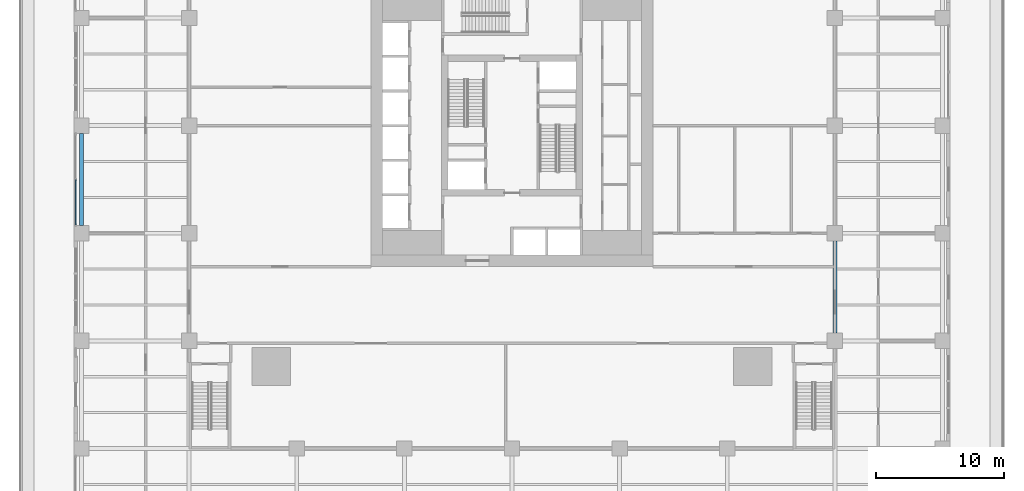
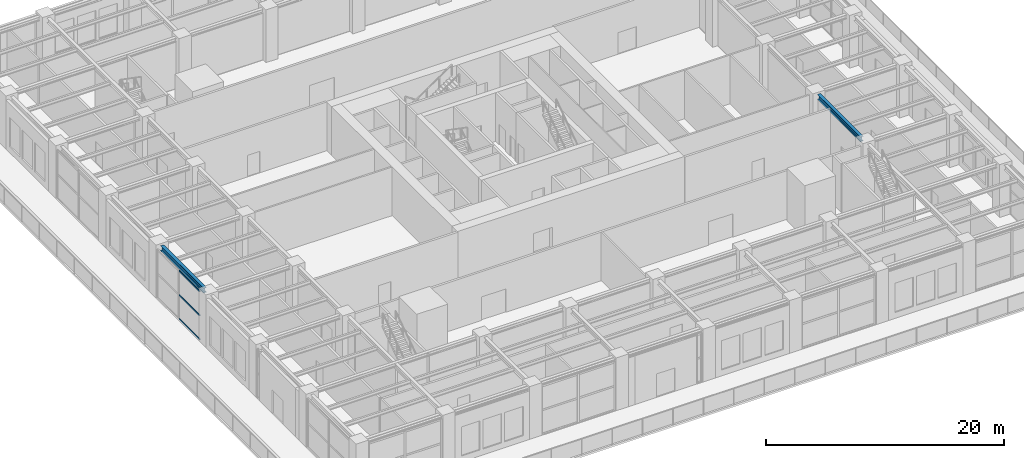
# One storey, part 4 of 36: 3 members, 2 beams, 1 element without a shape of its own.
"""IFC4 building model written with IfcOpenShell, lengths in metres."""

from ifc_helpers import new_model, si_unit, direction, frame, origin, origin_2d, place, context, subcontext, project, spatial, rectangle, i_section, extrude, material, material_profile, profile_set, type_object, element, aggregate, save


model = new_model("IFC4")

# Units and contexts
model_context = context("Model", 3, precision=1e-05, world=origin(), true_north=direction((0.0, 1.0)))
body_context = subcontext(model_context, "Body", "Model", "MODEL_VIEW")
ifc_project = project(units=[si_unit("LENGTHUNIT", "METRE"), si_unit("AREAUNIT", "SQUARE_METRE"), si_unit("VOLUMEUNIT", "CUBIC_METRE"), si_unit("PLANEANGLEUNIT", "RADIAN"), si_unit("MASSUNIT", "GRAM", prefix="KILO")], contexts=[model_context])

# Site, building, storey
site_placement = place(None, origin())
site = spatial("IfcSite", under=ifc_project, at=site_placement, CompositionType="ELEMENT")
building_placement = place(site_placement, origin())
building = spatial("IfcBuilding", under=site, at=building_placement, Name="Khepri Terraces", CompositionType="ELEMENT")
storey_placement = place(building_placement, frame((0.0, 0.0, 16.800048828125)))
storey = spatial("IfcBuildingStorey", under=building, at=storey_placement, Name="L03", CompositionType="ELEMENT", Elevation=16.800048828125)

# Curtain wall, members
ifc_material_1 = material(Name="Anodised aluminium bronze curtain wall", Category="aluminium")
curtain_wall_type = type_object("IfcCurtainWallType", Name="CW-SYS5-BALLROOM", PredefinedType="NOTDEFINED", material=ifc_material_1)
curtain_wall_placement = place(storey_placement, origin())
curtain_wall = element("IfcCurtainWall", 1, at=curtain_wall_placement, inside=storey, type_object=curtain_wall_type, Name="Curtain wall CW5 L03 W", PredefinedType="NOTDEFINED")
ifc_material_2 = material(Name="Anodised aluminium bronze", Category="aluminium")
ifc_material_profile_1 = material_profile(ifc_material_2, rectangle(XDim=0.080078125, YDim=0.159912109375, at=origin_2d()), Name="Anodised aluminium bronze", Category="aluminium")
ifc_profile_set_1 = profile_set([ifc_material_profile_1], Name="Anodised aluminium bronze")
member_type = type_object("IfcMemberType", Name="CW-TRANSOM-80x160", PredefinedType="USERDEFINED", material=ifc_profile_set_1)
member_1_placement = place(storey_placement, frame((-34.050048828125, -4.239990234375, 0.0400390625), z_axis=(0.0, -1.0, 0.0), x_axis=(1.0, 0.0, 0.0)))
member_1 = element("IfcMember", 2, at=member_1_placement, type_object=member_type, Name="CW5 transom 2.1", ObjectType="TRANSOM", PredefinedType="USERDEFINED", context=body_context, shape_type="SweptSolid", body=[
    extrude(rectangle(XDim=0.080078125, YDim=0.159912109375, at=origin_2d()), origin(), (0.0, 0.0, 1.0), 3.47998046875),
])
member_2_placement = place(storey_placement, frame((-34.050048828125, -4.239990234375, 2.489990234375), z_axis=(0.0, -1.0, 0.0), x_axis=(1.0, 0.0, 0.0)))
member_2 = element("IfcMember", 3, at=member_2_placement, type_object=member_type, Name="CW5 transom 2.2", ObjectType="TRANSOM", PredefinedType="USERDEFINED", context=body_context, shape_type="SweptSolid", body=[
    extrude(rectangle(XDim=0.080078125, YDim=0.159912109375, at=origin_2d()), origin(), (0.0, 0.0, 1.0), 3.47998046875),
])
member_3_placement = place(storey_placement, frame((-34.050048828125, -4.239990234375, 4.93994140625), z_axis=(0.0, -1.0, 0.0), x_axis=(1.0, 0.0, 0.0)))
member_3 = element("IfcMember", 4, at=member_3_placement, type_object=member_type, Name="CW5 transom 2.3", ObjectType="TRANSOM", PredefinedType="USERDEFINED", context=body_context, shape_type="SweptSolid", body=[
    extrude(rectangle(XDim=0.080078125, YDim=0.159912109375, at=origin_2d()), origin(), (0.0, 0.0, 1.0), 3.47998046875),
])
aggregate(curtain_wall, [member_1, member_2, member_3])

# Beams
ifc_material_3 = material(Name="Steel S355", Category="steel")
ifc_material_profile_2 = material_profile(ifc_material_3, i_section(OverallWidth=0.300048828125, OverallDepth=0.5, WebThickness=0.014404296875, FlangeThickness=0.028076171875, FilletRadius=0.027099609375, at=origin_2d()), Name="Steel S355", Category="steel")
ifc_profile_set_2 = profile_set([ifc_material_profile_2], Name="Steel S355")
beam_type_1 = type_object("IfcBeamType", Name="Podium girder L04 HEB 500", PredefinedType="BEAM", material=ifc_profile_set_2)
beam_1_placement = place(storey_placement, frame((-33.60009765625, -7.800048828125, 4.949951171875), z_axis=(0.0, 1.0, 0.0), x_axis=(-1.0, 0.0, 0.0)))
element("IfcBeam", 5, at=beam_1_placement, inside=storey, type_object=beam_type_1, Name="Podium girder L04 004", PredefinedType="BEAM", context=body_context, shape_type="SweptSolid", body=[
    extrude(i_section(OverallWidth=0.300048828125, OverallDepth=0.5, WebThickness=0.014404296875, FlangeThickness=0.028076171875, FilletRadius=0.027099609375, at=origin_2d()), origin(), (0.0, 0.0, 1.0), 7.199951171875),
])
ifc_material_profile_3 = material_profile(ifc_material_3, i_section(OverallWidth=0.300048828125, OverallDepth=0.5, WebThickness=0.014404296875, FlangeThickness=0.028076171875, FilletRadius=0.027099609375, at=origin_2d()), Name="Steel S355", Category="steel")
ifc_profile_set_3 = profile_set([ifc_material_profile_3], Name="Steel S355")
beam_type_2 = type_object("IfcBeamType", Name="Tower ring beam HEB 500", PredefinedType="BEAM", material=ifc_profile_set_3)
beam_2_placement = place(storey_placement, frame((25.199951171875, -16.199951171875, 4.949951171875), z_axis=(0.0, 1.0, 0.0), x_axis=(-1.0, 0.0, 0.0)))
element("IfcBeam", 6, at=beam_2_placement, inside=storey, type_object=beam_type_2, Name="Ring beam L04 026", PredefinedType="BEAM", context=body_context, shape_type="SweptSolid", body=[
    extrude(i_section(OverallWidth=0.300048828125, OverallDepth=0.5, WebThickness=0.014404296875, FlangeThickness=0.028076171875, FilletRadius=0.027099609375, at=origin_2d()), origin(), (0.0, 0.0, 1.0), 7.199951171875),
])

save(model, "model.ifc")
